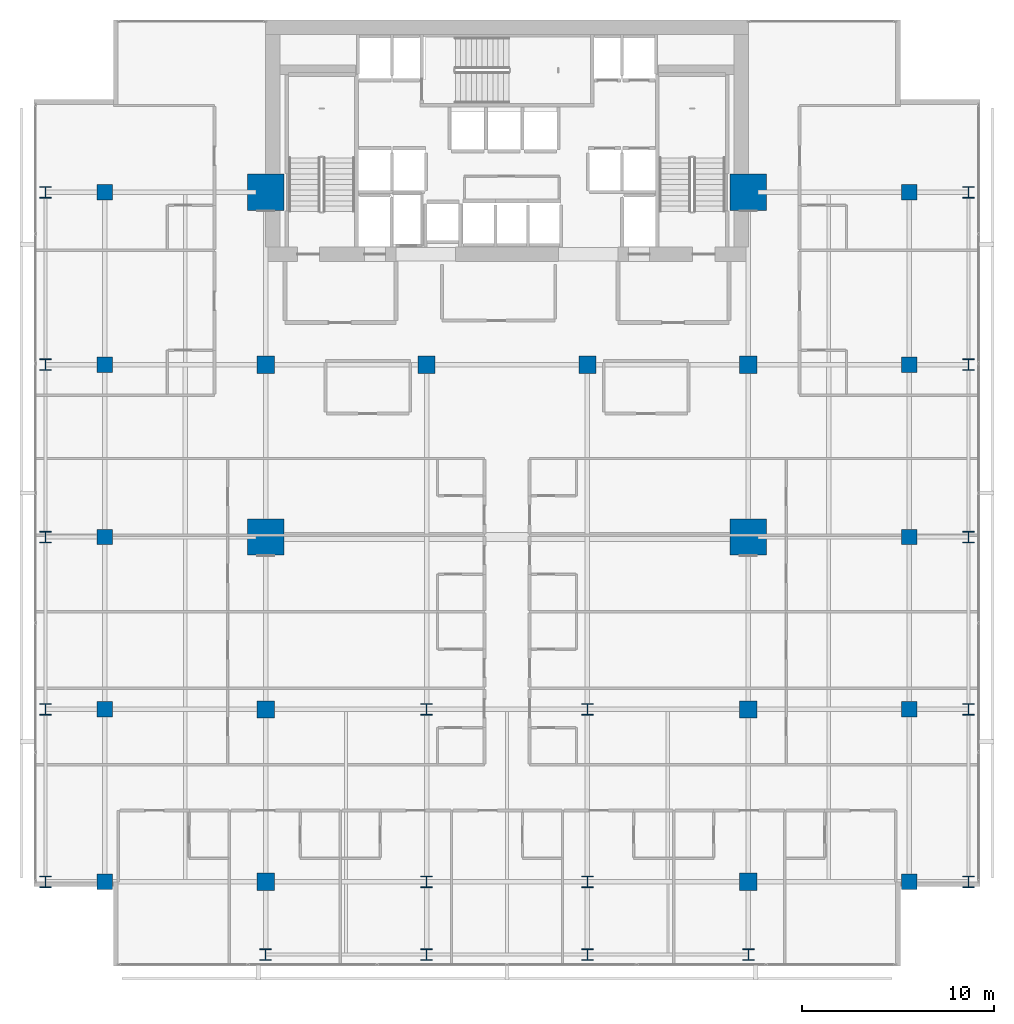
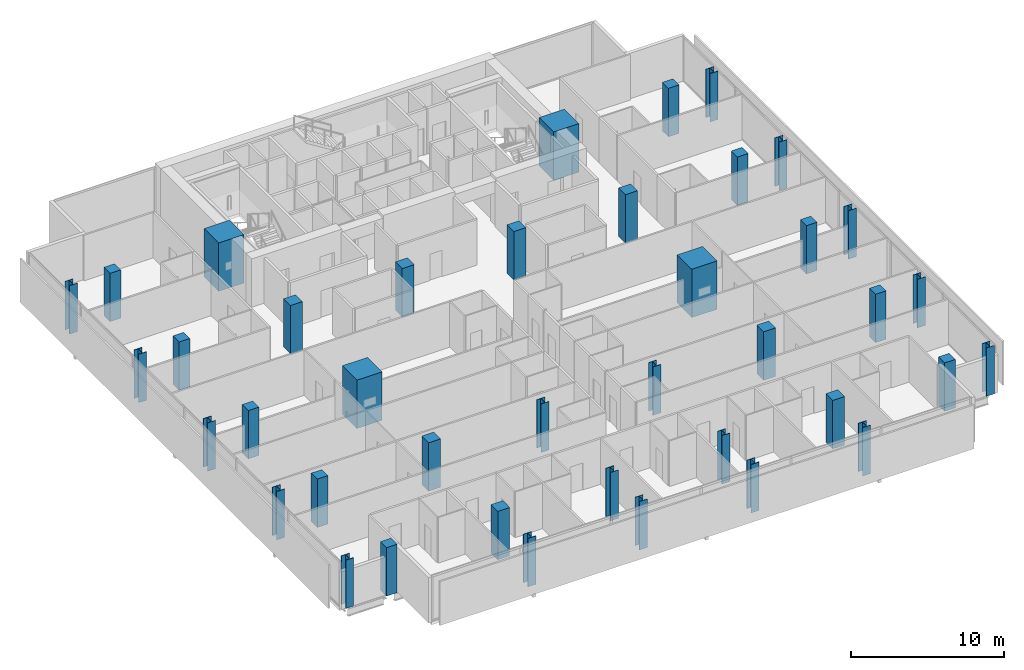
# One storey, part 1 of 34: 40 columns.
"""IFC4 building model written with IfcOpenShell, lengths in metres."""

import ifcopenshell
import ifcopenshell.guid

model = None  # the IFC model being written
_history = None  # IfcOwnerHistory: only IFC2X3 demands one
_inside = {}  # id of a spatial element -> (the spatial element, [elements in it])
_under = {}  # id of a project, library or spatial element -> (it, [spatial elements below it])
_declared = {}  # id of a project -> (the project, [libraries it declares])
_typed = {}  # id of a type object -> (the type object, [elements of that type])
_made_of = {}  # id of a material, layer set ... -> (it, [elements and type objects made of it])


def new_model(schema):
    """Start an empty IFC model of exactly this schema.

    Asked for "IFC4X3", IfcOpenShell would pick the latest addendum, in which some entities
    have other attributes; the version numbers below select the first issue.
    IFC2X3 requires an IfcOwnerHistory on every rooted entity: one is made here for all.
    """
    global model, _history
    if schema == "IFC4X3":
        model = ifcopenshell.file(schema_version=(4, 3, 0, 0))
    else:
        model = ifcopenshell.file(schema=schema)
    _inside.clear()
    _under.clear()
    _declared.clear()
    _typed.clear()
    _made_of.clear()
    _history = None
    if model.schema == "IFC2X3":
        org = make("IfcOrganization", Name="unknown")
        user = make(
            "IfcPersonAndOrganization",
            ThePerson=make("IfcPerson", FamilyName="unknown"),
            TheOrganization=org,
        )
        app = make(
            "IfcApplication",
            ApplicationDeveloper=org,
            Version="unknown",
            ApplicationFullName="unknown",
            ApplicationIdentifier="unknown",
        )
        _history = make(
            "IfcOwnerHistory",
            OwningUser=user,
            OwningApplication=app,
            ChangeAction="ADDED",
            CreationDate=0,
        )
    return model


def make(cls, **values):
    """One entity of the class cls with the attributes given. An attribute that is None is left unset."""
    return model.create_entity(
        cls, **{name: value for name, value in values.items() if value is not None}
    )


def rooted(cls, **values):
    """An entity with a GlobalId (a new one), such as an element, a storey or a relation."""
    return make(cls, GlobalId=ifcopenshell.guid.new(), OwnerHistory=_history, **values)


def si_unit(unit_type, name, prefix=None):
    """IfcSIUnit, for example si_unit("LENGTHUNIT", "METRE", prefix="MILLI")."""
    return make("IfcSIUnit", UnitType=unit_type, Prefix=prefix, Name=name)


def assignment(units):
    """IfcUnitAssignment: the units of a project."""
    return None if units is None else make("IfcUnitAssignment", Units=units)


def point(xyz):
    """IfcCartesianPoint."""
    return None if xyz is None else make("IfcCartesianPoint", Coordinates=xyz)


def direction(xyz):
    """IfcDirection."""
    return None if xyz is None else make("IfcDirection", DirectionRatios=xyz)


def frame(location, z_axis=None, x_axis=None):
    """IfcAxis2Placement3D, a coordinate frame: its origin and axes. An axis left out is left unset."""
    return make(
        "IfcAxis2Placement3D",
        Location=point(location),
        Axis=direction(z_axis),
        RefDirection=direction(x_axis),
    )


def frame_2d(location, x_axis=None):
    """IfcAxis2Placement2D, a coordinate frame in the plane: its origin and x axis."""
    return make(
        "IfcAxis2Placement2D", Location=point(location), RefDirection=direction(x_axis)
    )


def origin():
    """The frame at (0, 0, 0) with its axes left unset."""
    return frame((0.0, 0.0, 0.0))


def origin_2d():
    """The frame at (0, 0) in the plane with its x axis left unset."""
    return frame_2d((0.0, 0.0))


def place(relative_to, where):
    """IfcLocalPlacement: puts the frame where relative to a parent placement (None: the world)."""
    return make(
        "IfcLocalPlacement", PlacementRelTo=relative_to, RelativePlacement=where
    )


def context(
    kind, dimensions, precision=None, world=None, true_north=None, identifier=None
):
    """IfcGeometricRepresentationContext, for example the 3D "Model" context."""
    return make(
        "IfcGeometricRepresentationContext",
        ContextIdentifier=identifier,
        ContextType=kind,
        CoordinateSpaceDimension=dimensions,
        Precision=precision,
        WorldCoordinateSystem=world,
        TrueNorth=true_north,
    )


def subcontext(parent, identifier, kind, view, scale=None):
    """IfcGeometricRepresentationSubContext, for example "Body" below "Model"."""
    return make(
        "IfcGeometricRepresentationSubContext",
        ContextIdentifier=identifier,
        ContextType=kind,
        ParentContext=parent,
        TargetScale=scale,
        TargetView=view,
    )


def project(units=None, contexts=None):
    """IfcProject with its units and contexts."""
    return rooted(
        "IfcProject",
        Name="project",
        RepresentationContexts=contexts,
        UnitsInContext=assignment(units),
    )


def spatial(cls, under=None, at=None, **own):
    """A site, building, storey or space (cls), placed at a placement, below another one or the project."""
    s = rooted(cls, ObjectPlacement=at, **own)
    if under is not None:
        _under.setdefault(under.id(), (under, []))[1].append(s)
    return s


def profile(cls, at=None, kind="AREA", **sizes):
    """A parametric profile (cls). Its sizes go by their IFC names, for example OverallWidth=200.0."""
    return make(cls, ProfileType=kind, Position=at, **sizes)


def rectangle(**sizes):
    """IfcRectangleProfileDef."""
    return profile("IfcRectangleProfileDef", **sizes)


def i_section(**sizes):
    """IfcIShapeProfileDef."""
    return profile("IfcIShapeProfileDef", **sizes)


def extrude(swept, where, along, depth):
    """IfcExtrudedAreaSolid: the profile swept, set in the frame where, extruded along a direction by depth."""
    return make(
        "IfcExtrudedAreaSolid",
        SweptArea=swept,
        Position=where,
        ExtrudedDirection=direction(along),
        Depth=depth,
    )


def shape(context_of_items, identifier, shape_type, items):
    """IfcShapeRepresentation: the items that make up one representation, for example the "Body"."""
    return make(
        "IfcShapeRepresentation",
        ContextOfItems=context_of_items,
        RepresentationIdentifier=identifier,
        RepresentationType=shape_type,
        Items=items,
    )


def material(Name=None, Category=None):
    """IfcMaterial."""
    return make("IfcMaterial", Name=Name, Category=Category)


def material_profile(
    of_material, cross_section, Name=None, Category=None, Priority=None
):
    """IfcMaterialProfile: a cross section and its material."""
    return make(
        "IfcMaterialProfile",
        Name=Name,
        Material=of_material,
        Profile=cross_section,
        Priority=Priority,
        Category=Category,
    )


def profile_set(profiles, Name=None, composite=None):
    """IfcMaterialProfileSet."""
    return make(
        "IfcMaterialProfileSet",
        Name=Name,
        MaterialProfiles=profiles,
        CompositeProfile=composite,
    )


def made_of(thing, what):
    """Note that an element or type object is made of a material, layer set ...; save() writes the relation."""
    if what is not None:
        _made_of.setdefault(what.id(), (what, []))[1].append(thing)
    return thing


def type_object(cls, material=None, **own):
    """A type object (cls), such as IfcWallType, which elements share."""
    return made_of(rooted(cls, **own), material)


def element(
    cls,
    number,
    at=None,
    inside=None,
    cuts=None,
    type_object=None,
    material=None,
    context=None,
    identifier="Body",
    shape_type=None,
    held_by="IfcProductDefinitionShape",
    body=None,
    shapes=None,
    **own,
):
    """One element of the class cls, such as IfcWall. Its Tag is "e" and its number.

    at: its placement. inside: the storey or other place that contains it. cuts: it is an
    opening in that element (IfcRelVoidsElement). A single representation is given by context,
    identifier, shape_type and body (its items); several are given by shapes. held_by: the class
    of the entity that holds the representations. save() writes the other relations.
    """
    e = rooted(cls, Tag="e%d" % number, ObjectPlacement=at, **own)
    if body is not None:
        shapes = [shape(context, identifier, shape_type, body)]
    if shapes is not None:
        e.Representation = make(held_by, Representations=shapes)
    if inside is not None:
        _inside.setdefault(inside.id(), (inside, []))[1].append(e)
    if cuts is not None:
        rooted(
            "IfcRelVoidsElement", RelatingBuildingElement=cuts, RelatedOpeningElement=e
        )
    if type_object is not None:
        _typed.setdefault(type_object.id(), (type_object, []))[1].append(e)
    return made_of(e, material)


def aggregate(whole, parts):
    """IfcRelAggregates: a whole, such as a stair, and the parts it consists of."""
    return rooted("IfcRelAggregates", RelatingObject=whole, RelatedObjects=parts)


def save(model, path):
    """Write the relations noted so far, then the file.

    IfcRelAggregates (storeys below a building ...), IfcRelContainedInSpatialStructure (elements
    in a storey), IfcRelDefinesByType, IfcRelAssociatesMaterial and IfcRelDeclares: one each for
    every whole, place, type object, material and project.
    """
    for whole, parts in _under.values():
        aggregate(whole, parts)
    for where, things in _inside.values():
        rooted(
            "IfcRelContainedInSpatialStructure",
            RelatedElements=things,
            RelatingStructure=where,
        )
    for kind, things in _typed.values():
        rooted("IfcRelDefinesByType", RelatedObjects=things, RelatingType=kind)
    for what, things in _made_of.values():
        rooted("IfcRelAssociatesMaterial", RelatedObjects=things, RelatingMaterial=what)
    for by, libraries in _declared.values():
        rooted("IfcRelDeclares", RelatingContext=by, RelatedDefinitions=libraries)
    model.write(path)


model = new_model("IFC4")

# Units and contexts
model_context = context("Model", 3, precision=1e-05, world=origin(), true_north=direction((0.0, 1.0)))
body_context = subcontext(model_context, "Body", "Model", "MODEL_VIEW")
ifc_project = project(units=[si_unit("LENGTHUNIT", "METRE"), si_unit("AREAUNIT", "SQUARE_METRE"), si_unit("VOLUMEUNIT", "CUBIC_METRE"), si_unit("PLANEANGLEUNIT", "RADIAN"), si_unit("MASSUNIT", "GRAM", prefix="KILO")], contexts=[model_context])

# Site, building, storey
site_placement = place(None, origin())
site = spatial("IfcSite", under=ifc_project, at=site_placement, CompositionType="ELEMENT")
building_placement = place(site_placement, origin())
building = spatial("IfcBuilding", under=site, at=building_placement, Name="Maruvema Waterfront Hotel and Observation Tower", CompositionType="ELEMENT")
storey_placement = place(building_placement, frame((0.0, 0.0, 127.39990234375)))
storey = spatial("IfcBuildingStorey", under=building, at=storey_placement, Name="L30", CompositionType="ELEMENT", Elevation=127.39990234375)

# Columns
ifc_material_1 = material(Name="Concrete C80/95", Category="concrete")
ifc_material_profile_1 = material_profile(ifc_material_1, rectangle(XDim=1.89990234375, YDim=1.89990234375, at=origin_2d()), Name="MC1900x1900")
ifc_profile_set_1 = profile_set([ifc_material_profile_1], Name="Concrete C80/95")
column_type_1 = type_object("IfcColumnType", Name="Continuous Mega-Column MC1900x1900", PredefinedType="COLUMN", material=ifc_profile_set_1)
for number, where, z_axis, x_axis, name in (
    (1, (25.199951171875, 27.0, 0.0), (0.0, 0.0, 1.0), (1.0, 0.0, 0.0), "L30 Continuous Mega-Column MC-01"),
    (2, (50.39990234375, 27.0, 0.0), (0.0, 0.0, 1.0), (1.0, 0.0, 0.0), "L30 Continuous Mega-Column MC-02"),
    (3, (25.199951171875, 45.0, 0.0), (0.0, 0.0, 1.0), (1.0, 0.0, 0.0), "L30 Continuous Mega-Column MC-03"),
    (4, (50.39990234375, 45.0, 0.0), (0.0, 0.0, 1.0), (1.0, 0.0, 0.0), "L30 Continuous Mega-Column MC-04"),
):
    element("IfcColumn", number, at=place(storey_placement, frame(where, z_axis=z_axis, x_axis=x_axis)), inside=storey, type_object=column_type_1, Name=name, PredefinedType="COLUMN", context=body_context, shape_type="SweptSolid", body=[
        extrude(rectangle(XDim=1.89990234375, YDim=1.89990234375, at=origin_2d()), origin(), (0.0, 0.0, 1.0), 3.85009765625),
    ])
ifc_material_2 = material(Name="Concrete C60/75", Category="concrete")
ifc_material_profile_2 = material_profile(ifc_material_2, rectangle(XDim=0.800048828125, YDim=0.800048828125, at=origin_2d()), Name="RC800x800")
ifc_profile_set_2 = profile_set([ifc_material_profile_2], Name="Concrete C60/75")
column_type_2 = type_object("IfcColumnType", Name="Reinforced Concrete Column RC800x800", PredefinedType="COLUMN", material=ifc_profile_set_2)
for number, where, z_axis, x_axis, name in (
    (5, (16.800048828125, 9.0, 0.0), (0.0, 0.0, 1.0), (1.0, 0.0, 0.0), "L30 Column C-3Y9"),
    (6, (58.800048828125, 9.0, 0.0), (0.0, 0.0, 1.0), (1.0, 0.0, 0.0), "L30 Column C-8Y9"),
    (7, (16.800048828125, 18.0, 0.0), (0.0, 0.0, 1.0), (1.0, 0.0, 0.0), "L30 Column C-3Y18"),
    (8, (58.800048828125, 18.0, 0.0), (0.0, 0.0, 1.0), (1.0, 0.0, 0.0), "L30 Column C-8Y18"),
    (9, (16.800048828125, 27.0, 0.0), (0.0, 0.0, 1.0), (1.0, 0.0, 0.0), "L30 Column C-3Y27"),
    (10, (58.800048828125, 27.0, 0.0), (0.0, 0.0, 1.0), (1.0, 0.0, 0.0), "L30 Column C-8Y27"),
    (11, (16.800048828125, 36.0, 0.0), (0.0, 0.0, 1.0), (1.0, 0.0, 0.0), "L30 Column C-3Y36"),
    (12, (58.800048828125, 36.0, 0.0), (0.0, 0.0, 1.0), (1.0, 0.0, 0.0), "L30 Column C-8Y36"),
    (13, (16.800048828125, 45.0, 0.0), (0.0, 0.0, 1.0), (1.0, 0.0, 0.0), "L30 Column C-3Y45"),
    (14, (58.800048828125, 45.0, 0.0), (0.0, 0.0, 1.0), (1.0, 0.0, 0.0), "L30 Column C-8Y45"),
):
    element("IfcColumn", number, at=place(storey_placement, frame(where, z_axis=z_axis, x_axis=x_axis)), inside=storey, type_object=column_type_2, Name=name, PredefinedType="COLUMN", context=body_context, shape_type="SweptSolid", body=[
        extrude(rectangle(XDim=0.800048828125, YDim=0.800048828125, at=origin_2d()), origin(), (0.0, 0.0, 1.0), 3.85009765625),
    ])
ifc_material_3 = material(Name="Concrete C60/75", Category="concrete")
ifc_material_profile_3 = material_profile(ifc_material_3, rectangle(XDim=0.89990234375, YDim=0.89990234375, at=origin_2d()), Name="RC900x900")
ifc_profile_set_3 = profile_set([ifc_material_profile_3], Name="Concrete C60/75")
column_type_3 = type_object("IfcColumnType", Name="Reinforced Concrete Column RC900x900", PredefinedType="COLUMN", material=ifc_profile_set_3)
for number, where, z_axis, x_axis, name in (
    (15, (25.199951171875, 36.0, 0.0), (0.0, 0.0, 1.0), (1.0, 0.0, 0.0), "L30 Column C-4E"),
    (16, (33.60009765625, 36.0, 0.0), (0.0, 0.0, 1.0), (1.0, 0.0, 0.0), "L30 Column C-5E"),
    (17, (42.0, 36.0, 0.0), (0.0, 0.0, 1.0), (1.0, 0.0, 0.0), "L30 Column C-6E"),
    (18, (50.39990234375, 36.0, 0.0), (0.0, 0.0, 1.0), (1.0, 0.0, 0.0), "L30 Column C-7E"),
    (19, (25.199951171875, 18.0, 0.0), (0.0, 0.0, 1.0), (1.0, 0.0, 0.0), "L30 Column C-4C"),
    (20, (50.39990234375, 18.0, 0.0), (0.0, 0.0, 1.0), (1.0, 0.0, 0.0), "L30 Column C-7C"),
    (21, (25.199951171875, 9.0, 0.0), (0.0, 0.0, 1.0), (1.0, 0.0, 0.0), "L30 Column C-4B"),
    (22, (50.39990234375, 9.0, 0.0), (0.0, 0.0, 1.0), (1.0, 0.0, 0.0), "L30 Column C-7B"),
):
    element("IfcColumn", number, at=place(storey_placement, frame(where, z_axis=z_axis, x_axis=x_axis)), inside=storey, type_object=column_type_3, Name=name, PredefinedType="COLUMN", context=body_context, shape_type="SweptSolid", body=[
        extrude(rectangle(XDim=0.89990234375, YDim=0.89990234375, at=origin_2d()), origin(), (0.0, 0.0, 1.0), 3.85009765625),
    ])
ifc_material_4 = material(Name="Steel ABNT NBR 7007 AR 415 (ASTM A572 Grade 50)", Category="steel")
ifc_material_profile_4 = material_profile(ifc_material_4, i_section(OverallWidth=0.60009765625, OverallDepth=0.60009765625, WebThickness=0.02490234375, FlangeThickness=0.0380859375, at=origin_2d()), Name="CVS600x317")
ifc_profile_set_4 = profile_set([ifc_material_profile_4], Name="Steel ABNT NBR 7007 AR 415 (ASTM A572 Grade 50)")
column_type_4 = type_object("IfcColumnType", Name="Structural Steel Column CVS600x317", PredefinedType="COLUMN", material=ifc_profile_set_4)
for number, where, z_axis, x_axis, name in (
    (23, (33.60009765625, 9.0, 0.0), (0.0, 0.0, 1.0), (1.0, 0.0, 0.0), "L30 Column C-5B"),
    (24, (42.0, 9.0, 0.0), (0.0, 0.0, 1.0), (1.0, 0.0, 0.0), "L30 Column C-6B"),
    (25, (33.60009765625, 18.0, 0.0), (0.0, 0.0, 1.0), (1.0, 0.0, 0.0), "L30 Column C-5C"),
    (26, (42.0, 18.0, 0.0), (0.0, 0.0, 1.0), (1.0, 0.0, 0.0), "L30 Column C-6C"),
    (27, (13.699951171875, 9.0, 0.0), (0.0, 0.0, 1.0), (1.0, 0.0, 0.0), "L30 Column C-Z2W9"),
    (28, (61.89990234375, 9.0, 0.0), (0.0, 0.0, 1.0), (1.0, 0.0, 0.0), "L30 Column C-Z2E9"),
    (29, (13.699951171875, 18.0, 0.0), (0.0, 0.0, 1.0), (1.0, 0.0, 0.0), "L30 Column C-Z2W18"),
    (30, (61.89990234375, 18.0, 0.0), (0.0, 0.0, 1.0), (1.0, 0.0, 0.0), "L30 Column C-Z2E18"),
    (31, (13.699951171875, 27.0, 0.0), (0.0, 0.0, 1.0), (1.0, 0.0, 0.0), "L30 Column C-Z2W27"),
    (32, (61.89990234375, 27.0, 0.0), (0.0, 0.0, 1.0), (1.0, 0.0, 0.0), "L30 Column C-Z2E27"),
    (33, (13.699951171875, 36.0, 0.0), (0.0, 0.0, 1.0), (1.0, 0.0, 0.0), "L30 Column C-Z2W36"),
    (34, (61.89990234375, 36.0, 0.0), (0.0, 0.0, 1.0), (1.0, 0.0, 0.0), "L30 Column C-Z2E36"),
    (35, (13.699951171875, 45.0, 0.0), (0.0, 0.0, 1.0), (1.0, 0.0, 0.0), "L30 Column C-Z2W45"),
    (36, (61.89990234375, 45.0, 0.0), (0.0, 0.0, 1.0), (1.0, 0.0, 0.0), "L30 Column C-Z2E45"),
    (37, (25.199951171875, 5.199951171875, 0.0), (0.0, 0.0, 1.0), (1.0, 0.0, 0.0), "L30 Column C-Z2S4"),
    (38, (33.60009765625, 5.199951171875, 0.0), (0.0, 0.0, 1.0), (1.0, 0.0, 0.0), "L30 Column C-Z2S5"),
    (39, (42.0, 5.199951171875, 0.0), (0.0, 0.0, 1.0), (1.0, 0.0, 0.0), "L30 Column C-Z2S6"),
    (40, (50.39990234375, 5.199951171875, 0.0), (0.0, 0.0, 1.0), (1.0, 0.0, 0.0), "L30 Column C-Z2S7"),
):
    element("IfcColumn", number, at=place(storey_placement, frame(where, z_axis=z_axis, x_axis=x_axis)), inside=storey, type_object=column_type_4, Name=name, PredefinedType="COLUMN", context=body_context, shape_type="SweptSolid", body=[
        extrude(i_section(OverallWidth=0.60009765625, OverallDepth=0.60009765625, WebThickness=0.02490234375, FlangeThickness=0.0380859375, at=origin_2d()), origin(), (0.0, 0.0, 1.0), 3.85009765625),
    ])

save(model, "model.ifc")
